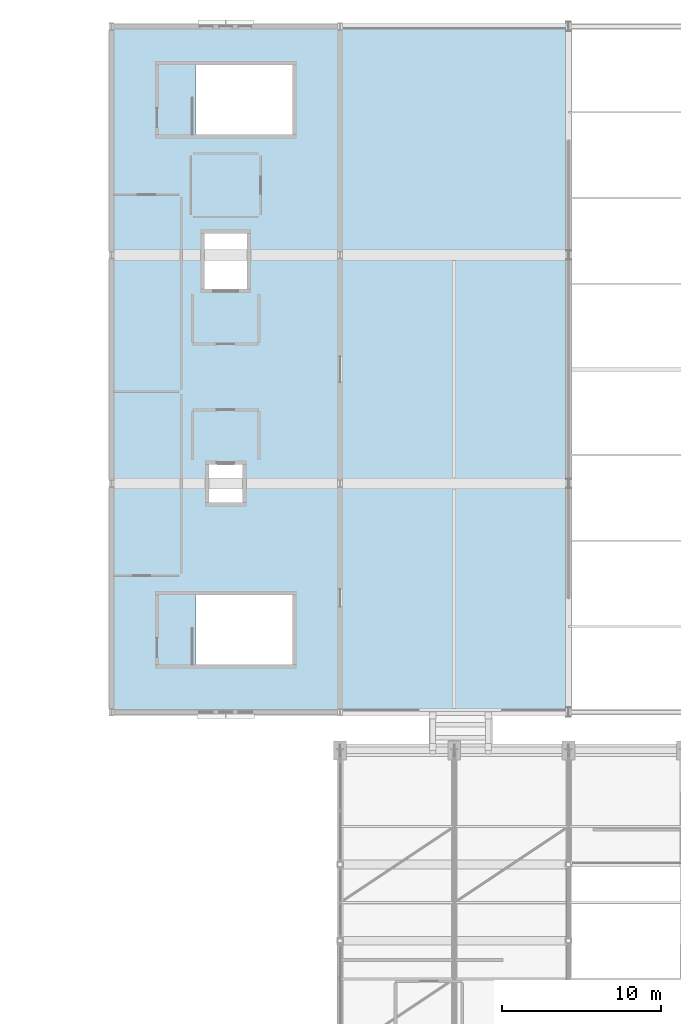
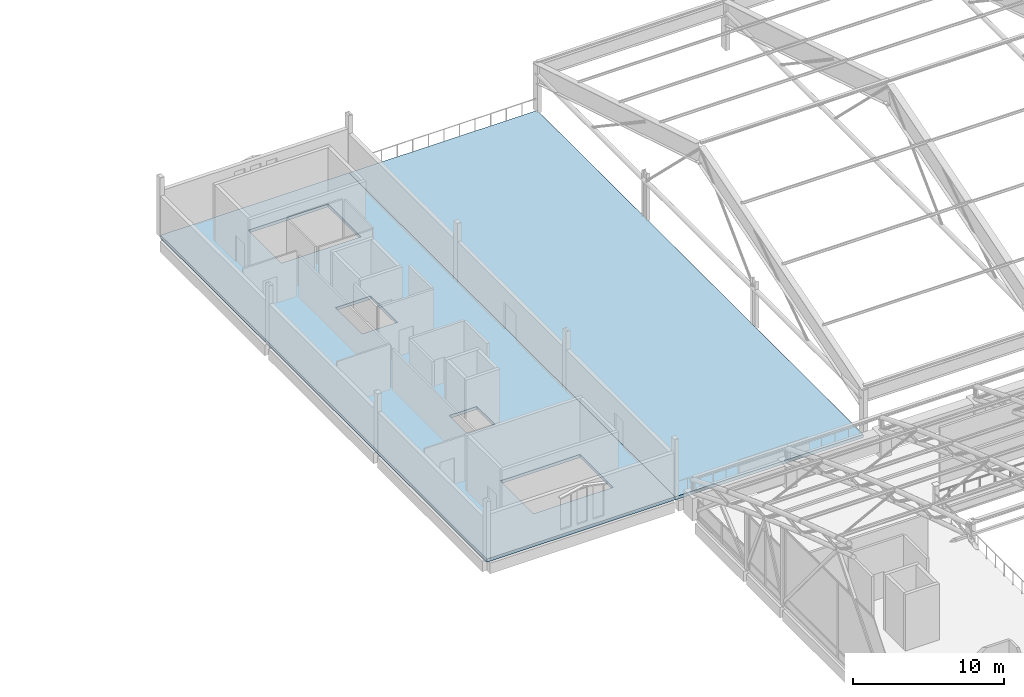
# One storey, part 69 of 116: 2 slabs.
"""IFC4 building model written with IfcOpenShell, lengths in metres."""

from ifc_helpers import new_model, si_unit, direction, frame, origin, place, context, subcontext, project, spatial, polyline, outline, extrude, material, layer, layer_set, type_object, element, save


model = new_model("IFC4")

# Units and contexts
model_context = context("Model", 3, precision=1e-05, world=origin(), true_north=direction((0.0, 1.0)))
body_context = subcontext(model_context, "Body", "Model", "MODEL_VIEW")
ifc_project = project(units=[si_unit("LENGTHUNIT", "METRE"), si_unit("AREAUNIT", "SQUARE_METRE"), si_unit("VOLUMEUNIT", "CUBIC_METRE"), si_unit("PLANEANGLEUNIT", "RADIAN"), si_unit("MASSUNIT", "GRAM", prefix="KILO")], contexts=[model_context])

# Site, building, storey
site_placement = place(None, origin())
site = spatial("IfcSite", under=ifc_project, at=site_placement, CompositionType="ELEMENT")
building_placement = place(site_placement, origin())
building = spatial("IfcBuilding", under=site, at=building_placement, Name="Cendralis Lancet Convention Centre", CompositionType="ELEMENT")
storey_placement = place(building_placement, frame((0.0, 0.0, 15.0)))
storey = spatial("IfcBuildingStorey", under=building, at=storey_placement, Name="L03", CompositionType="ELEMENT", Elevation=15.0)

# Slabs
ifc_material = material(Name="Concrete G35 (C35/45)", Category="concrete")
ifc_layer_1 = layer(ifc_material, 0.25, Name="Concrete G35 (C35/45)")
ifc_layer_set_1 = layer_set([ifc_layer_1], Name="Concrete G35 (C35/45)")
slab_type_1 = type_object("IfcSlabType", Name="STR-SL-FS25", PredefinedType="FLOOR", material=ifc_layer_set_1)
slab_1_placement = place(storey_placement, frame((0.0, 0.0, -0.25)))
element("IfcSlab", 1, at=slab_1_placement, inside=storey, type_object=slab_type_1, Name="L03 V3 Floor Slab FS-250", PredefinedType="FLOOR", context=body_context, shape_type="SweptSolid", body=[
    extrude(outline(polyline([(124.800048828125, 93.60009765625), (139.199951171875, 93.60009765625), (139.199951171875, 136.800048828125), (124.800048828125, 136.800048828125), (124.800048828125, 93.60009765625)]), holes=[polyline([(130.110107421875, 130.0), (136.199951171875, 130.0), (136.199951171875, 134.3798828125), (130.110107421875, 134.3798828125), (130.110107421875, 130.0)]), polyline([(130.110107421875, 96.60009765625), (136.199951171875, 96.60009765625), (136.199951171875, 100.97998046875), (130.110107421875, 100.97998046875), (130.110107421875, 96.60009765625)]), polyline([(130.949951171875, 106.800048828125), (133.050048828125, 106.800048828125), (133.050048828125, 109.199951171875), (130.949951171875, 109.199951171875), (130.949951171875, 106.800048828125)]), polyline([(130.64990234375, 120.25), (133.35009765625, 120.25), (133.35009765625, 123.75), (130.64990234375, 123.75), (130.64990234375, 120.25)])]), origin(), (0.0, 0.0, 1.0), 0.25),
])
ifc_layer_2 = layer(ifc_material, 0.260009765625, Name="Concrete G35 (C35/45)")
ifc_layer_set_2 = layer_set([ifc_layer_2], Name="Concrete G35 (C35/45)")
slab_type_2 = type_object("IfcSlabType", Name="STR-SL-RG26", PredefinedType="FLOOR", material=ifc_layer_set_2)
slab_2_placement = place(storey_placement, frame((0.0, 0.0, -0.260009765625)))
element("IfcSlab", 2, at=slab_2_placement, inside=storey, type_object=slab_type_2, Name="L03 V3 Roof Garden Slab RG-260", PredefinedType="FLOOR", context=body_context, shape_type="SweptSolid", body=[
    extrude(outline(polyline([(139.199951171875, 93.60009765625), (153.60009765625, 93.60009765625), (153.60009765625, 136.800048828125), (139.199951171875, 136.800048828125), (139.199951171875, 93.60009765625)])), origin(), (0.0, 0.0, 1.0), 0.260009765625),
])

save(model, "model.ifc")
